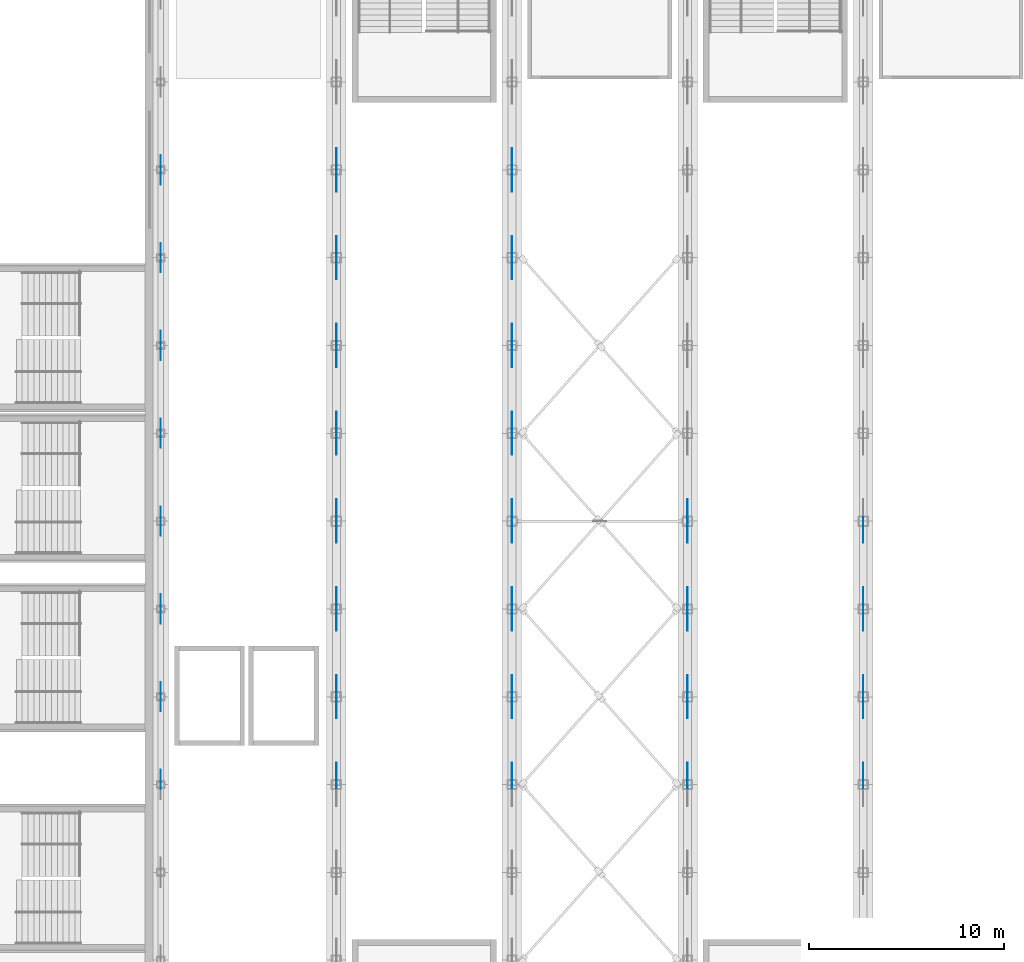
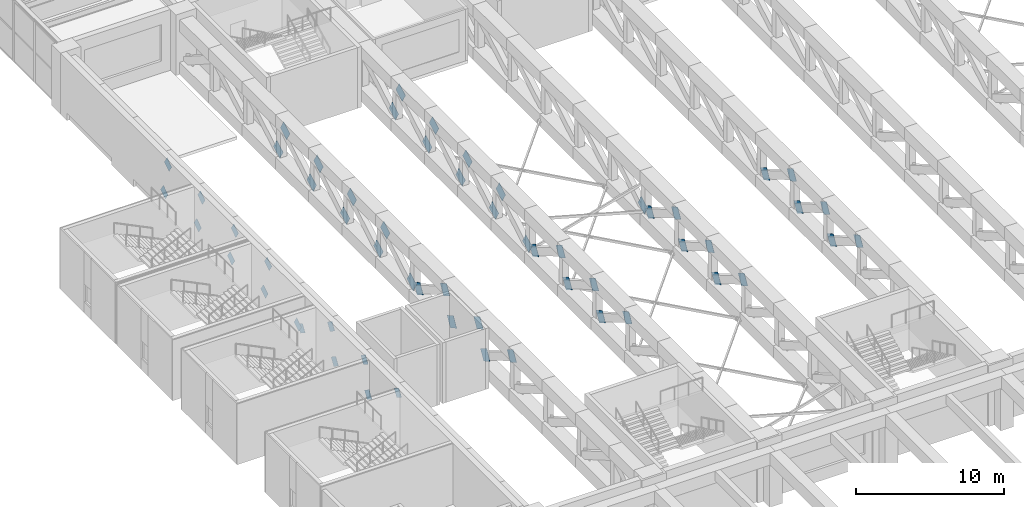
# One storey, part 54 of 76: 58 discrete accessories.
"""IFC4 building model written with IfcOpenShell, lengths in metres."""

from ifc_helpers import new_model, si_unit, direction, frame, origin, place, context, subcontext, project, spatial, polyline, outline, extrude, material, layer, layer_set, type_object, element, save


model = new_model("IFC4")

# Units and contexts
model_context = context("Model", 3, precision=1e-05, world=origin(), true_north=direction((0.0, 1.0)))
body_context = subcontext(model_context, "Body", "Model", "MODEL_VIEW")
ifc_project = project(units=[si_unit("LENGTHUNIT", "METRE"), si_unit("AREAUNIT", "SQUARE_METRE"), si_unit("VOLUMEUNIT", "CUBIC_METRE"), si_unit("PLANEANGLEUNIT", "RADIAN"), si_unit("MASSUNIT", "GRAM", prefix="KILO")], contexts=[model_context])

# Site, building, storey
site_placement = place(None, origin())
site = spatial("IfcSite", under=ifc_project, at=site_placement, CompositionType="ELEMENT")
building_placement = place(site_placement, origin())
building = spatial("IfcBuilding", under=site, at=building_placement, Name="Aravalli Gate Trade Fair Centre", CompositionType="ELEMENT")
storey_placement = place(building_placement, frame((0.0, 0.0, 10.0)))
storey = spatial("IfcBuildingStorey", under=building, at=storey_placement, Name="L02", CompositionType="ELEMENT", Elevation=10.0)

# Discrete accessories
ifc_material = material(Name="Steel E350", Category="steel")
ifc_layer_1 = layer(ifc_material, 0.01611328125)
ifc_layer_set_1 = layer_set([ifc_layer_1], Name="Steel E350")
discrete_accessory_type_1 = type_object("IfcDiscreteAccessoryType", Name="Gusset plate 675 x 675 x 16", PredefinedType="USERDEFINED", material=ifc_layer_set_1)
discrete_accessory_1_placement = place(storey_placement, frame((5.991943359375, 64.384521484375, 3.05078125), z_axis=(-1.0, 0.0, 0.0), x_axis=(0.0, -0.840557944742, 0.541721645803)))
element("IfcDiscreteAccessory", 1, at=discrete_accessory_1_placement, inside=storey, type_object=discrete_accessory_type_1, Name="Gusset plate FT2 line 1 diagonal 5 end A", ObjectType="GUSSET PLATE", PredefinedType="USERDEFINED", context=body_context, shape_type="SweptSolid", body=[
    extrude(outline(polyline([(0.0, 0.0), (0.7548813122812147, -5.551115123125783e-17), (0.755038993328129, 0.6749057537468108), (-0.0001797895562460905, 0.6748327956660154), (0.0, 0.0)])), origin(), (0.0, 0.0, -1.0), 0.01611328125),
])
discrete_accessory_2_placement = place(storey_placement, frame((6.008056640625, 67.749755859375, 0.882080078125), z_axis=(1.0, 0.0, 0.0), x_axis=(0.0, 0.840505607678, -0.541802845565)))
element("IfcDiscreteAccessory", 2, at=discrete_accessory_2_placement, inside=storey, type_object=discrete_accessory_type_1, Name="Gusset plate FT2 line 1 diagonal 5 end B", ObjectType="GUSSET PLATE", PredefinedType="USERDEFINED", context=body_context, shape_type="SweptSolid", body=[
    extrude(outline(polyline([(0.0, 0.0), (0.755218786408441, 0.0), (0.7549959059400588, 0.6749057353646954), (0.00011459718133527419, 0.674832809885664), (0.0, 0.0)])), origin(), (0.0, 0.0, -1.0), 0.01611328125),
])
discrete_accessory_3_placement = place(storey_placement, frame((5.991943359375, 68.884521484375, 3.05078125), z_axis=(-1.0, 0.0, 0.0), x_axis=(0.0, -0.840557944742, 0.541721645803)))
element("IfcDiscreteAccessory", 3, at=discrete_accessory_3_placement, inside=storey, type_object=discrete_accessory_type_1, Name="Gusset plate FT2 line 1 diagonal 6 end A", ObjectType="GUSSET PLATE", PredefinedType="USERDEFINED", context=body_context, shape_type="SweptSolid", body=[
    extrude(outline(polyline([(0.0, 0.0), (0.7548813122812147, -5.551115123125783e-17), (0.755038993328129, 0.6749057537468108), (-0.0001797895562460905, 0.6748327956660154), (0.0, 0.0)])), origin(), (0.0, 0.0, -1.0), 0.01611328125),
])
discrete_accessory_4_placement = place(storey_placement, frame((6.008056640625, 72.249755859375, 0.882080078125), z_axis=(1.0, 0.0, 0.0), x_axis=(0.0, 0.840505607678, -0.541802845565)))
element("IfcDiscreteAccessory", 4, at=discrete_accessory_4_placement, inside=storey, type_object=discrete_accessory_type_1, Name="Gusset plate FT2 line 1 diagonal 6 end B", ObjectType="GUSSET PLATE", PredefinedType="USERDEFINED", context=body_context, shape_type="SweptSolid", body=[
    extrude(outline(polyline([(0.0, 0.0), (0.755218786408441, 0.0), (0.7549959059400588, 0.6749057353646954), (0.00011459718133527419, 0.674832809885664), (0.0, 0.0)])), origin(), (0.0, 0.0, -1.0), 0.01611328125),
])
discrete_accessory_5_placement = place(storey_placement, frame((5.991943359375, 73.384521484375, 3.05078125), z_axis=(-1.0, 0.0, 0.0), x_axis=(0.0, -0.840557944742, 0.541721645803)))
element("IfcDiscreteAccessory", 5, at=discrete_accessory_5_placement, inside=storey, type_object=discrete_accessory_type_1, Name="Gusset plate FT2 line 1 diagonal 7 end A", ObjectType="GUSSET PLATE", PredefinedType="USERDEFINED", context=body_context, shape_type="SweptSolid", body=[
    extrude(outline(polyline([(0.0, 0.0), (0.7548813122812147, -5.551115123125783e-17), (0.755038993328129, 0.6749057537468108), (-0.0001797895562460905, 0.6748327956660154), (0.0, 0.0)])), origin(), (0.0, 0.0, -1.0), 0.01611328125),
])
for number, where, z_axis, x_axis, name in (
    (6, (6.008056640625, 76.749755859375, 0.882080078125), (1.0, 0.0, 0.0), (0.0, 0.840505607678, -0.541802845565), "Gusset plate FT2 line 1 diagonal 7 end B"),
    (7, (5.991943359375, 81.249755859375, 3.617919921875), (-1.0, 0.0, 0.0), (0.0, 0.840505607678, 0.541802845565), "Gusset plate FT2 line 1 diagonal 8 end A"),
):
    element("IfcDiscreteAccessory", number, at=place(storey_placement, frame(where, z_axis=z_axis, x_axis=x_axis)), inside=storey, type_object=discrete_accessory_type_1, Name=name, ObjectType="GUSSET PLATE", PredefinedType="USERDEFINED", context=body_context, shape_type="SweptSolid", body=[
        extrude(outline(polyline([(0.0, 0.0), (0.755218786408441, 0.0), (0.7549959059400588, 0.6749057353646954), (0.00011459718133527419, 0.674832809885664), (0.0, 0.0)])), origin(), (0.0, 0.0, -1.0), 0.01611328125),
    ])
discrete_accessory_6_placement = place(storey_placement, frame((6.008056640625, 77.884521484375, 1.44921875), z_axis=(1.0, 0.0, 0.0), x_axis=(0.0, -0.840557944742, -0.541721645803)))
element("IfcDiscreteAccessory", 8, at=discrete_accessory_6_placement, inside=storey, type_object=discrete_accessory_type_1, Name="Gusset plate FT2 line 1 diagonal 8 end B", ObjectType="GUSSET PLATE", PredefinedType="USERDEFINED", context=body_context, shape_type="SweptSolid", body=[
    extrude(outline(polyline([(0.0, 0.0), (0.7548813122812147, -5.551115123125783e-17), (0.755038993328129, 0.6749057537468108), (-0.0001797895562460905, 0.6748327956660154), (0.0, 0.0)])), origin(), (0.0, 0.0, -1.0), 0.01611328125),
])
discrete_accessory_7_placement = place(storey_placement, frame((5.991943359375, 85.749755859375, 3.617919921875), z_axis=(-1.0, 0.0, 0.0), x_axis=(0.0, 0.840505607678, 0.541802845565)))
element("IfcDiscreteAccessory", 9, at=discrete_accessory_7_placement, inside=storey, type_object=discrete_accessory_type_1, Name="Gusset plate FT2 line 1 diagonal 9 end A", ObjectType="GUSSET PLATE", PredefinedType="USERDEFINED", context=body_context, shape_type="SweptSolid", body=[
    extrude(outline(polyline([(0.0, 0.0), (0.755218786408441, 0.0), (0.7549959059400588, 0.6749057353646954), (0.00011459718133527419, 0.674832809885664), (0.0, 0.0)])), origin(), (0.0, 0.0, -1.0), 0.01611328125),
])
discrete_accessory_8_placement = place(storey_placement, frame((6.008056640625, 82.384521484375, 1.44921875), z_axis=(1.0, 0.0, 0.0), x_axis=(0.0, -0.840557944742, -0.541721645803)))
element("IfcDiscreteAccessory", 10, at=discrete_accessory_8_placement, inside=storey, type_object=discrete_accessory_type_1, Name="Gusset plate FT2 line 1 diagonal 9 end B", ObjectType="GUSSET PLATE", PredefinedType="USERDEFINED", context=body_context, shape_type="SweptSolid", body=[
    extrude(outline(polyline([(0.0, 0.0), (0.7548813122812147, -5.551115123125783e-17), (0.755038993328129, 0.6749057537468108), (-0.0001797895562460905, 0.6748327956660154), (0.0, 0.0)])), origin(), (0.0, 0.0, -1.0), 0.01611328125),
])
discrete_accessory_9_placement = place(storey_placement, frame((5.991943359375, 90.249755859375, 3.617919921875), z_axis=(-1.0, 0.0, 0.0), x_axis=(0.0, 0.840505607678, 0.541802845565)))
element("IfcDiscreteAccessory", 11, at=discrete_accessory_9_placement, inside=storey, type_object=discrete_accessory_type_1, Name="Gusset plate FT2 line 1 diagonal 10 end A", ObjectType="GUSSET PLATE", PredefinedType="USERDEFINED", context=body_context, shape_type="SweptSolid", body=[
    extrude(outline(polyline([(0.0, 0.0), (0.755218786408441, 0.0), (0.7549959059400588, 0.6749057353646954), (0.00011459718133527419, 0.674832809885664), (0.0, 0.0)])), origin(), (0.0, 0.0, -1.0), 0.01611328125),
])
discrete_accessory_10_placement = place(storey_placement, frame((6.008056640625, 86.884521484375, 1.44921875), z_axis=(1.0, 0.0, 0.0), x_axis=(0.0, -0.840557944742, -0.541721645803)))
element("IfcDiscreteAccessory", 12, at=discrete_accessory_10_placement, inside=storey, type_object=discrete_accessory_type_1, Name="Gusset plate FT2 line 1 diagonal 10 end B", ObjectType="GUSSET PLATE", PredefinedType="USERDEFINED", context=body_context, shape_type="SweptSolid", body=[
    extrude(outline(polyline([(0.0, 0.0), (0.7548813122812147, -5.551115123125783e-17), (0.755038993328129, 0.6749057537468108), (-0.0001797895562460905, 0.6748327956660154), (0.0, 0.0)])), origin(), (0.0, 0.0, -1.0), 0.01611328125),
])
discrete_accessory_11_placement = place(storey_placement, frame((5.991943359375, 94.749755859375, 3.617919921875), z_axis=(-1.0, 0.0, 0.0), x_axis=(0.0, 0.840505607678, 0.541802845565)))
element("IfcDiscreteAccessory", 13, at=discrete_accessory_11_placement, inside=storey, type_object=discrete_accessory_type_1, Name="Gusset plate FT2 line 1 diagonal 11 end A", ObjectType="GUSSET PLATE", PredefinedType="USERDEFINED", context=body_context, shape_type="SweptSolid", body=[
    extrude(outline(polyline([(0.0, 0.0), (0.755218786408441, 0.0), (0.7549959059400588, 0.6749057353646954), (0.00011459718133527419, 0.674832809885664), (0.0, 0.0)])), origin(), (0.0, 0.0, -1.0), 0.01611328125),
])
for number, where, z_axis, x_axis, name in (
    (14, (6.008056640625, 91.384521484375, 1.44921875), (1.0, 0.0, 0.0), (0.0, -0.840557944742, -0.541721645803), "Gusset plate FT2 line 1 diagonal 11 end B"),
    (15, (6.008056640625, 95.884521484375, 1.44921875), (1.0, 0.0, 0.0), (0.0, -0.840557944742, -0.541721645803), "Gusset plate FT2 line 1 diagonal 12 end B"),
):
    element("IfcDiscreteAccessory", number, at=place(storey_placement, frame(where, z_axis=z_axis, x_axis=x_axis)), inside=storey, type_object=discrete_accessory_type_1, Name=name, ObjectType="GUSSET PLATE", PredefinedType="USERDEFINED", context=body_context, shape_type="SweptSolid", body=[
        extrude(outline(polyline([(0.0, 0.0), (0.7548813122812147, -5.551115123125783e-17), (0.755038993328129, 0.6749057537468108), (-0.0001797895562460905, 0.6748327956660154), (0.0, 0.0)])), origin(), (0.0, 0.0, -1.0), 0.01611328125),
    ])
ifc_layer_2 = layer(ifc_material, 0.02001953125)
ifc_layer_set_2 = layer_set([ifc_layer_2], Name="Steel E350")
discrete_accessory_type_2 = type_object("IfcDiscreteAccessoryType", Name="Gusset plate 900 x 900 x 20", PredefinedType="USERDEFINED", material=ifc_layer_set_2)
discrete_accessory_12_placement = place(storey_placement, frame((14.989990234375, 64.656005859375, 2.657958984375), z_axis=(-1.0, 0.0, 0.0), x_axis=(0.0, -0.86388729855, 0.503685155037)))
element("IfcDiscreteAccessory", 16, at=discrete_accessory_12_placement, inside=storey, type_object=discrete_accessory_type_2, Name="Gusset plate FT1 line 2 diagonal 5 end A", ObjectType="GUSSET PLATE", PredefinedType="USERDEFINED", context=body_context, shape_type="SweptSolid", body=[
    extrude(outline(polyline([(0.0, 0.0), (0.9800811852673053, 0.0), (0.9800808203711375, 0.9001036081016202), (-3.6489616778156986e-07, 0.9001036081016202), (0.0, 0.0)])), origin(), (0.0, 0.0, -1.0), 0.02001953125),
])
discrete_accessory_13_placement = place(storey_placement, frame((15.010009765625, 67.390625, 1.064453125), z_axis=(1.0, 0.0, 0.0), x_axis=(0.0, 0.86388729855, -0.503685155037)))
element("IfcDiscreteAccessory", 17, at=discrete_accessory_13_placement, inside=storey, type_object=discrete_accessory_type_2, Name="Gusset plate FT1 line 2 diagonal 5 end B", ObjectType="GUSSET PLATE", PredefinedType="USERDEFINED", context=body_context, shape_type="SweptSolid", body=[
    extrude(outline(polyline([(0.0, 0.0), (0.9800811852673053, 0.0), (0.980081550163473, 0.9001036081016202), (3.6489616778156986e-07, 0.9001036081016202), (0.0, 0.0)])), origin(), (0.0, 0.0, -1.0), 0.02001953125),
])
discrete_accessory_14_placement = place(storey_placement, frame((14.989990234375, 69.156005859375, 2.657958984375), z_axis=(-1.0, 0.0, 0.0), x_axis=(0.0, -0.86388729855, 0.503685155037)))
element("IfcDiscreteAccessory", 18, at=discrete_accessory_14_placement, inside=storey, type_object=discrete_accessory_type_2, Name="Gusset plate FT1 line 2 diagonal 6 end A", ObjectType="GUSSET PLATE", PredefinedType="USERDEFINED", context=body_context, shape_type="SweptSolid", body=[
    extrude(outline(polyline([(0.0, 0.0), (0.9800811852673053, 0.0), (0.9800808203711375, 0.9001036081016202), (-3.6489616778156986e-07, 0.9001036081016202), (0.0, 0.0)])), origin(), (0.0, 0.0, -1.0), 0.02001953125),
])
discrete_accessory_15_placement = place(storey_placement, frame((15.010009765625, 71.890625, 1.064453125), z_axis=(1.0, 0.0, 0.0), x_axis=(0.0, 0.86388729855, -0.503685155037)))
element("IfcDiscreteAccessory", 19, at=discrete_accessory_15_placement, inside=storey, type_object=discrete_accessory_type_2, Name="Gusset plate FT1 line 2 diagonal 6 end B", ObjectType="GUSSET PLATE", PredefinedType="USERDEFINED", context=body_context, shape_type="SweptSolid", body=[
    extrude(outline(polyline([(0.0, 0.0), (0.9800811852673053, 0.0), (0.980081550163473, 0.9001036081016202), (3.6489616778156986e-07, 0.9001036081016202), (0.0, 0.0)])), origin(), (0.0, 0.0, -1.0), 0.02001953125),
])
discrete_accessory_16_placement = place(storey_placement, frame((14.989990234375, 73.656005859375, 2.657958984375), z_axis=(-1.0, 0.0, 0.0), x_axis=(0.0, -0.86388729855, 0.503685155037)))
element("IfcDiscreteAccessory", 20, at=discrete_accessory_16_placement, inside=storey, type_object=discrete_accessory_type_2, Name="Gusset plate FT1 line 2 diagonal 7 end A", ObjectType="GUSSET PLATE", PredefinedType="USERDEFINED", context=body_context, shape_type="SweptSolid", body=[
    extrude(outline(polyline([(0.0, 0.0), (0.9800811852673053, 0.0), (0.9800808203711375, 0.9001036081016202), (-3.6489616778156986e-07, 0.9001036081016202), (0.0, 0.0)])), origin(), (0.0, 0.0, -1.0), 0.02001953125),
])
for number, where, z_axis, x_axis, name in (
    (21, (15.010009765625, 76.390625, 1.064453125), (1.0, 0.0, 0.0), (0.0, 0.86388729855, -0.503685155037), "Gusset plate FT1 line 2 diagonal 7 end B"),
    (22, (14.989990234375, 80.890625, 3.435546875), (-1.0, 0.0, 0.0), (0.0, 0.86388729855, 0.503685155037), "Gusset plate FT1 line 2 diagonal 8 end A"),
):
    element("IfcDiscreteAccessory", number, at=place(storey_placement, frame(where, z_axis=z_axis, x_axis=x_axis)), inside=storey, type_object=discrete_accessory_type_2, Name=name, ObjectType="GUSSET PLATE", PredefinedType="USERDEFINED", context=body_context, shape_type="SweptSolid", body=[
        extrude(outline(polyline([(0.0, 0.0), (0.9800811852673053, 0.0), (0.980081550163473, 0.9001036081016202), (3.6489616778156986e-07, 0.9001036081016202), (0.0, 0.0)])), origin(), (0.0, 0.0, -1.0), 0.02001953125),
    ])
discrete_accessory_17_placement = place(storey_placement, frame((15.010009765625, 78.156005859375, 1.842041015625), z_axis=(1.0, 0.0, 0.0), x_axis=(0.0, -0.86388729855, -0.503685155037)))
element("IfcDiscreteAccessory", 23, at=discrete_accessory_17_placement, inside=storey, type_object=discrete_accessory_type_2, Name="Gusset plate FT1 line 2 diagonal 8 end B", ObjectType="GUSSET PLATE", PredefinedType="USERDEFINED", context=body_context, shape_type="SweptSolid", body=[
    extrude(outline(polyline([(0.0, 0.0), (0.9800811852673053, 0.0), (0.9800808203711375, 0.9001036081016202), (-3.6489616778156986e-07, 0.9001036081016202), (0.0, 0.0)])), origin(), (0.0, 0.0, -1.0), 0.02001953125),
])
discrete_accessory_18_placement = place(storey_placement, frame((14.989990234375, 85.390625, 3.435546875), z_axis=(-1.0, 0.0, 0.0), x_axis=(0.0, 0.86388729855, 0.503685155037)))
element("IfcDiscreteAccessory", 24, at=discrete_accessory_18_placement, inside=storey, type_object=discrete_accessory_type_2, Name="Gusset plate FT1 line 2 diagonal 9 end A", ObjectType="GUSSET PLATE", PredefinedType="USERDEFINED", context=body_context, shape_type="SweptSolid", body=[
    extrude(outline(polyline([(0.0, 0.0), (0.9800811852673053, 0.0), (0.980081550163473, 0.9001036081016202), (3.6489616778156986e-07, 0.9001036081016202), (0.0, 0.0)])), origin(), (0.0, 0.0, -1.0), 0.02001953125),
])
discrete_accessory_19_placement = place(storey_placement, frame((15.010009765625, 82.656005859375, 1.842041015625), z_axis=(1.0, 0.0, 0.0), x_axis=(0.0, -0.86388729855, -0.503685155037)))
element("IfcDiscreteAccessory", 25, at=discrete_accessory_19_placement, inside=storey, type_object=discrete_accessory_type_2, Name="Gusset plate FT1 line 2 diagonal 9 end B", ObjectType="GUSSET PLATE", PredefinedType="USERDEFINED", context=body_context, shape_type="SweptSolid", body=[
    extrude(outline(polyline([(0.0, 0.0), (0.9800811852673053, 0.0), (0.9800808203711375, 0.9001036081016202), (-3.6489616778156986e-07, 0.9001036081016202), (0.0, 0.0)])), origin(), (0.0, 0.0, -1.0), 0.02001953125),
])
discrete_accessory_20_placement = place(storey_placement, frame((14.989990234375, 89.890625, 3.435546875), z_axis=(-1.0, 0.0, 0.0), x_axis=(0.0, 0.86388729855, 0.503685155037)))
element("IfcDiscreteAccessory", 26, at=discrete_accessory_20_placement, inside=storey, type_object=discrete_accessory_type_2, Name="Gusset plate FT1 line 2 diagonal 10 end A", ObjectType="GUSSET PLATE", PredefinedType="USERDEFINED", context=body_context, shape_type="SweptSolid", body=[
    extrude(outline(polyline([(0.0, 0.0), (0.9800811852673053, 0.0), (0.980081550163473, 0.9001036081016202), (3.6489616778156986e-07, 0.9001036081016202), (0.0, 0.0)])), origin(), (0.0, 0.0, -1.0), 0.02001953125),
])
discrete_accessory_21_placement = place(storey_placement, frame((15.010009765625, 87.156005859375, 1.842041015625), z_axis=(1.0, 0.0, 0.0), x_axis=(0.0, -0.86388729855, -0.503685155037)))
element("IfcDiscreteAccessory", 27, at=discrete_accessory_21_placement, inside=storey, type_object=discrete_accessory_type_2, Name="Gusset plate FT1 line 2 diagonal 10 end B", ObjectType="GUSSET PLATE", PredefinedType="USERDEFINED", context=body_context, shape_type="SweptSolid", body=[
    extrude(outline(polyline([(0.0, 0.0), (0.9800811852673053, 0.0), (0.9800808203711375, 0.9001036081016202), (-3.6489616778156986e-07, 0.9001036081016202), (0.0, 0.0)])), origin(), (0.0, 0.0, -1.0), 0.02001953125),
])
discrete_accessory_22_placement = place(storey_placement, frame((14.989990234375, 94.390625, 3.435546875), z_axis=(-1.0, 0.0, 0.0), x_axis=(0.0, 0.86388729855, 0.503685155037)))
element("IfcDiscreteAccessory", 28, at=discrete_accessory_22_placement, inside=storey, type_object=discrete_accessory_type_2, Name="Gusset plate FT1 line 2 diagonal 11 end A", ObjectType="GUSSET PLATE", PredefinedType="USERDEFINED", context=body_context, shape_type="SweptSolid", body=[
    extrude(outline(polyline([(0.0, 0.0), (0.9800811852673053, 0.0), (0.980081550163473, 0.9001036081016202), (3.6489616778156986e-07, 0.9001036081016202), (0.0, 0.0)])), origin(), (0.0, 0.0, -1.0), 0.02001953125),
])
for number, where, z_axis, x_axis, name in (
    (29, (15.010009765625, 91.656005859375, 1.842041015625), (1.0, 0.0, 0.0), (0.0, -0.86388729855, -0.503685155037), "Gusset plate FT1 line 2 diagonal 11 end B"),
    (30, (15.010009765625, 96.156005859375, 1.842041015625), (1.0, 0.0, 0.0), (0.0, -0.86388729855, -0.503685155037), "Gusset plate FT1 line 2 diagonal 12 end B"),
    (31, (23.989990234375, 64.656005859375, 2.657958984375), (-1.0, 0.0, 0.0), (0.0, -0.86388729855, 0.503685155037), "Gusset plate FT1 line 3 diagonal 5 end A"),
):
    element("IfcDiscreteAccessory", number, at=place(storey_placement, frame(where, z_axis=z_axis, x_axis=x_axis)), inside=storey, type_object=discrete_accessory_type_2, Name=name, ObjectType="GUSSET PLATE", PredefinedType="USERDEFINED", context=body_context, shape_type="SweptSolid", body=[
        extrude(outline(polyline([(0.0, 0.0), (0.9800811852673053, 0.0), (0.9800808203711375, 0.9001036081016202), (-3.6489616778156986e-07, 0.9001036081016202), (0.0, 0.0)])), origin(), (0.0, 0.0, -1.0), 0.02001953125),
    ])
discrete_accessory_23_placement = place(storey_placement, frame((24.010009765625, 67.390625, 1.064453125), z_axis=(1.0, 0.0, 0.0), x_axis=(0.0, 0.86388729855, -0.503685155037)))
element("IfcDiscreteAccessory", 32, at=discrete_accessory_23_placement, inside=storey, type_object=discrete_accessory_type_2, Name="Gusset plate FT1 line 3 diagonal 5 end B", ObjectType="GUSSET PLATE", PredefinedType="USERDEFINED", context=body_context, shape_type="SweptSolid", body=[
    extrude(outline(polyline([(0.0, 0.0), (0.9800811852673053, 0.0), (0.980081550163473, 0.9001036081016202), (3.6489616778156986e-07, 0.9001036081016202), (0.0, 0.0)])), origin(), (0.0, 0.0, -1.0), 0.02001953125),
])
discrete_accessory_24_placement = place(storey_placement, frame((23.989990234375, 69.156005859375, 2.657958984375), z_axis=(-1.0, 0.0, 0.0), x_axis=(0.0, -0.86388729855, 0.503685155037)))
element("IfcDiscreteAccessory", 33, at=discrete_accessory_24_placement, inside=storey, type_object=discrete_accessory_type_2, Name="Gusset plate FT1 line 3 diagonal 6 end A", ObjectType="GUSSET PLATE", PredefinedType="USERDEFINED", context=body_context, shape_type="SweptSolid", body=[
    extrude(outline(polyline([(0.0, 0.0), (0.9800811852673053, 0.0), (0.9800808203711375, 0.9001036081016202), (-3.6489616778156986e-07, 0.9001036081016202), (0.0, 0.0)])), origin(), (0.0, 0.0, -1.0), 0.02001953125),
])
discrete_accessory_25_placement = place(storey_placement, frame((24.010009765625, 71.890625, 1.064453125), z_axis=(1.0, 0.0, 0.0), x_axis=(0.0, 0.86388729855, -0.503685155037)))
element("IfcDiscreteAccessory", 34, at=discrete_accessory_25_placement, inside=storey, type_object=discrete_accessory_type_2, Name="Gusset plate FT1 line 3 diagonal 6 end B", ObjectType="GUSSET PLATE", PredefinedType="USERDEFINED", context=body_context, shape_type="SweptSolid", body=[
    extrude(outline(polyline([(0.0, 0.0), (0.9800811852673053, 0.0), (0.980081550163473, 0.9001036081016202), (3.6489616778156986e-07, 0.9001036081016202), (0.0, 0.0)])), origin(), (0.0, 0.0, -1.0), 0.02001953125),
])
discrete_accessory_26_placement = place(storey_placement, frame((23.989990234375, 73.656005859375, 2.657958984375), z_axis=(-1.0, 0.0, 0.0), x_axis=(0.0, -0.86388729855, 0.503685155037)))
element("IfcDiscreteAccessory", 35, at=discrete_accessory_26_placement, inside=storey, type_object=discrete_accessory_type_2, Name="Gusset plate FT1 line 3 diagonal 7 end A", ObjectType="GUSSET PLATE", PredefinedType="USERDEFINED", context=body_context, shape_type="SweptSolid", body=[
    extrude(outline(polyline([(0.0, 0.0), (0.9800811852673053, 0.0), (0.9800808203711375, 0.9001036081016202), (-3.6489616778156986e-07, 0.9001036081016202), (0.0, 0.0)])), origin(), (0.0, 0.0, -1.0), 0.02001953125),
])
for number, where, z_axis, x_axis, name in (
    (36, (24.010009765625, 76.390625, 1.064453125), (1.0, 0.0, 0.0), (0.0, 0.86388729855, -0.503685155037), "Gusset plate FT1 line 3 diagonal 7 end B"),
    (37, (23.989990234375, 80.890625, 3.435546875), (-1.0, 0.0, 0.0), (0.0, 0.86388729855, 0.503685155037), "Gusset plate FT1 line 3 diagonal 8 end A"),
):
    element("IfcDiscreteAccessory", number, at=place(storey_placement, frame(where, z_axis=z_axis, x_axis=x_axis)), inside=storey, type_object=discrete_accessory_type_2, Name=name, ObjectType="GUSSET PLATE", PredefinedType="USERDEFINED", context=body_context, shape_type="SweptSolid", body=[
        extrude(outline(polyline([(0.0, 0.0), (0.9800811852673053, 0.0), (0.980081550163473, 0.9001036081016202), (3.6489616778156986e-07, 0.9001036081016202), (0.0, 0.0)])), origin(), (0.0, 0.0, -1.0), 0.02001953125),
    ])
discrete_accessory_27_placement = place(storey_placement, frame((24.010009765625, 78.156005859375, 1.842041015625), z_axis=(1.0, 0.0, 0.0), x_axis=(0.0, -0.86388729855, -0.503685155037)))
element("IfcDiscreteAccessory", 38, at=discrete_accessory_27_placement, inside=storey, type_object=discrete_accessory_type_2, Name="Gusset plate FT1 line 3 diagonal 8 end B", ObjectType="GUSSET PLATE", PredefinedType="USERDEFINED", context=body_context, shape_type="SweptSolid", body=[
    extrude(outline(polyline([(0.0, 0.0), (0.9800811852673053, 0.0), (0.9800808203711375, 0.9001036081016202), (-3.6489616778156986e-07, 0.9001036081016202), (0.0, 0.0)])), origin(), (0.0, 0.0, -1.0), 0.02001953125),
])
discrete_accessory_28_placement = place(storey_placement, frame((23.989990234375, 85.390625, 3.435546875), z_axis=(-1.0, 0.0, 0.0), x_axis=(0.0, 0.86388729855, 0.503685155037)))
element("IfcDiscreteAccessory", 39, at=discrete_accessory_28_placement, inside=storey, type_object=discrete_accessory_type_2, Name="Gusset plate FT1 line 3 diagonal 9 end A", ObjectType="GUSSET PLATE", PredefinedType="USERDEFINED", context=body_context, shape_type="SweptSolid", body=[
    extrude(outline(polyline([(0.0, 0.0), (0.9800811852673053, 0.0), (0.980081550163473, 0.9001036081016202), (3.6489616778156986e-07, 0.9001036081016202), (0.0, 0.0)])), origin(), (0.0, 0.0, -1.0), 0.02001953125),
])
discrete_accessory_29_placement = place(storey_placement, frame((24.010009765625, 82.656005859375, 1.842041015625), z_axis=(1.0, 0.0, 0.0), x_axis=(0.0, -0.86388729855, -0.503685155037)))
element("IfcDiscreteAccessory", 40, at=discrete_accessory_29_placement, inside=storey, type_object=discrete_accessory_type_2, Name="Gusset plate FT1 line 3 diagonal 9 end B", ObjectType="GUSSET PLATE", PredefinedType="USERDEFINED", context=body_context, shape_type="SweptSolid", body=[
    extrude(outline(polyline([(0.0, 0.0), (0.9800811852673053, 0.0), (0.9800808203711375, 0.9001036081016202), (-3.6489616778156986e-07, 0.9001036081016202), (0.0, 0.0)])), origin(), (0.0, 0.0, -1.0), 0.02001953125),
])
discrete_accessory_30_placement = place(storey_placement, frame((23.989990234375, 89.890625, 3.435546875), z_axis=(-1.0, 0.0, 0.0), x_axis=(0.0, 0.86388729855, 0.503685155037)))
element("IfcDiscreteAccessory", 41, at=discrete_accessory_30_placement, inside=storey, type_object=discrete_accessory_type_2, Name="Gusset plate FT1 line 3 diagonal 10 end A", ObjectType="GUSSET PLATE", PredefinedType="USERDEFINED", context=body_context, shape_type="SweptSolid", body=[
    extrude(outline(polyline([(0.0, 0.0), (0.9800811852673053, 0.0), (0.980081550163473, 0.9001036081016202), (3.6489616778156986e-07, 0.9001036081016202), (0.0, 0.0)])), origin(), (0.0, 0.0, -1.0), 0.02001953125),
])
discrete_accessory_31_placement = place(storey_placement, frame((24.010009765625, 87.156005859375, 1.842041015625), z_axis=(1.0, 0.0, 0.0), x_axis=(0.0, -0.86388729855, -0.503685155037)))
element("IfcDiscreteAccessory", 42, at=discrete_accessory_31_placement, inside=storey, type_object=discrete_accessory_type_2, Name="Gusset plate FT1 line 3 diagonal 10 end B", ObjectType="GUSSET PLATE", PredefinedType="USERDEFINED", context=body_context, shape_type="SweptSolid", body=[
    extrude(outline(polyline([(0.0, 0.0), (0.9800811852673053, 0.0), (0.9800808203711375, 0.9001036081016202), (-3.6489616778156986e-07, 0.9001036081016202), (0.0, 0.0)])), origin(), (0.0, 0.0, -1.0), 0.02001953125),
])
discrete_accessory_32_placement = place(storey_placement, frame((23.989990234375, 94.390625, 3.435546875), z_axis=(-1.0, 0.0, 0.0), x_axis=(0.0, 0.86388729855, 0.503685155037)))
element("IfcDiscreteAccessory", 43, at=discrete_accessory_32_placement, inside=storey, type_object=discrete_accessory_type_2, Name="Gusset plate FT1 line 3 diagonal 11 end A", ObjectType="GUSSET PLATE", PredefinedType="USERDEFINED", context=body_context, shape_type="SweptSolid", body=[
    extrude(outline(polyline([(0.0, 0.0), (0.9800811852673053, 0.0), (0.980081550163473, 0.9001036081016202), (3.6489616778156986e-07, 0.9001036081016202), (0.0, 0.0)])), origin(), (0.0, 0.0, -1.0), 0.02001953125),
])
for number, where, z_axis, x_axis, name in (
    (44, (24.010009765625, 91.656005859375, 1.842041015625), (1.0, 0.0, 0.0), (0.0, -0.86388729855, -0.503685155037), "Gusset plate FT1 line 3 diagonal 11 end B"),
    (45, (24.010009765625, 96.156005859375, 1.842041015625), (1.0, 0.0, 0.0), (0.0, -0.86388729855, -0.503685155037), "Gusset plate FT1 line 3 diagonal 12 end B"),
    (46, (32.989990234375, 64.656005859375, 2.657958984375), (-1.0, 0.0, 0.0), (0.0, -0.86388729855, 0.503685155037), "Gusset plate FT1 line 4 diagonal 5 end A"),
):
    element("IfcDiscreteAccessory", number, at=place(storey_placement, frame(where, z_axis=z_axis, x_axis=x_axis)), inside=storey, type_object=discrete_accessory_type_2, Name=name, ObjectType="GUSSET PLATE", PredefinedType="USERDEFINED", context=body_context, shape_type="SweptSolid", body=[
        extrude(outline(polyline([(0.0, 0.0), (0.9800811852673053, 0.0), (0.9800808203711375, 0.9001036081016202), (-3.6489616778156986e-07, 0.9001036081016202), (0.0, 0.0)])), origin(), (0.0, 0.0, -1.0), 0.02001953125),
    ])
discrete_accessory_33_placement = place(storey_placement, frame((33.010009765625, 67.390625, 1.064453125), z_axis=(1.0, 0.0, 0.0), x_axis=(0.0, 0.86388729855, -0.503685155037)))
element("IfcDiscreteAccessory", 47, at=discrete_accessory_33_placement, inside=storey, type_object=discrete_accessory_type_2, Name="Gusset plate FT1 line 4 diagonal 5 end B", ObjectType="GUSSET PLATE", PredefinedType="USERDEFINED", context=body_context, shape_type="SweptSolid", body=[
    extrude(outline(polyline([(0.0, 0.0), (0.9800811852673053, 0.0), (0.980081550163473, 0.9001036081016202), (3.6489616778156986e-07, 0.9001036081016202), (0.0, 0.0)])), origin(), (0.0, 0.0, -1.0), 0.02001953125),
])
discrete_accessory_34_placement = place(storey_placement, frame((32.989990234375, 69.156005859375, 2.657958984375), z_axis=(-1.0, 0.0, 0.0), x_axis=(0.0, -0.86388729855, 0.503685155037)))
element("IfcDiscreteAccessory", 48, at=discrete_accessory_34_placement, inside=storey, type_object=discrete_accessory_type_2, Name="Gusset plate FT1 line 4 diagonal 6 end A", ObjectType="GUSSET PLATE", PredefinedType="USERDEFINED", context=body_context, shape_type="SweptSolid", body=[
    extrude(outline(polyline([(0.0, 0.0), (0.9800811852673053, 0.0), (0.9800808203711375, 0.9001036081016202), (-3.6489616778156986e-07, 0.9001036081016202), (0.0, 0.0)])), origin(), (0.0, 0.0, -1.0), 0.02001953125),
])
discrete_accessory_35_placement = place(storey_placement, frame((33.010009765625, 71.890625, 1.064453125), z_axis=(1.0, 0.0, 0.0), x_axis=(0.0, 0.86388729855, -0.503685155037)))
element("IfcDiscreteAccessory", 49, at=discrete_accessory_35_placement, inside=storey, type_object=discrete_accessory_type_2, Name="Gusset plate FT1 line 4 diagonal 6 end B", ObjectType="GUSSET PLATE", PredefinedType="USERDEFINED", context=body_context, shape_type="SweptSolid", body=[
    extrude(outline(polyline([(0.0, 0.0), (0.9800811852673053, 0.0), (0.980081550163473, 0.9001036081016202), (3.6489616778156986e-07, 0.9001036081016202), (0.0, 0.0)])), origin(), (0.0, 0.0, -1.0), 0.02001953125),
])
discrete_accessory_36_placement = place(storey_placement, frame((32.989990234375, 73.656005859375, 2.657958984375), z_axis=(-1.0, 0.0, 0.0), x_axis=(0.0, -0.86388729855, 0.503685155037)))
element("IfcDiscreteAccessory", 50, at=discrete_accessory_36_placement, inside=storey, type_object=discrete_accessory_type_2, Name="Gusset plate FT1 line 4 diagonal 7 end A", ObjectType="GUSSET PLATE", PredefinedType="USERDEFINED", context=body_context, shape_type="SweptSolid", body=[
    extrude(outline(polyline([(0.0, 0.0), (0.9800811852673053, 0.0), (0.9800808203711375, 0.9001036081016202), (-3.6489616778156986e-07, 0.9001036081016202), (0.0, 0.0)])), origin(), (0.0, 0.0, -1.0), 0.02001953125),
])
discrete_accessory_37_placement = place(storey_placement, frame((33.010009765625, 76.390625, 1.064453125), z_axis=(1.0, 0.0, 0.0), x_axis=(0.0, 0.86388729855, -0.503685155037)))
element("IfcDiscreteAccessory", 51, at=discrete_accessory_37_placement, inside=storey, type_object=discrete_accessory_type_2, Name="Gusset plate FT1 line 4 diagonal 7 end B", ObjectType="GUSSET PLATE", PredefinedType="USERDEFINED", context=body_context, shape_type="SweptSolid", body=[
    extrude(outline(polyline([(0.0, 0.0), (0.9800811852673053, 0.0), (0.980081550163473, 0.9001036081016202), (3.6489616778156986e-07, 0.9001036081016202), (0.0, 0.0)])), origin(), (0.0, 0.0, -1.0), 0.02001953125),
])
for number, where, z_axis, x_axis, name in (
    (52, (33.010009765625, 78.156005859375, 1.842041015625), (1.0, 0.0, 0.0), (0.0, -0.86388729855, -0.503685155037), "Gusset plate FT1 line 4 diagonal 8 end B"),
    (53, (41.989990234375, 64.656005859375, 2.657958984375), (-1.0, 0.0, 0.0), (0.0, -0.86388729855, 0.503685155037), "Gusset plate FT1 line 5 diagonal 5 end A"),
):
    element("IfcDiscreteAccessory", number, at=place(storey_placement, frame(where, z_axis=z_axis, x_axis=x_axis)), inside=storey, type_object=discrete_accessory_type_2, Name=name, ObjectType="GUSSET PLATE", PredefinedType="USERDEFINED", context=body_context, shape_type="SweptSolid", body=[
        extrude(outline(polyline([(0.0, 0.0), (0.9800811852673053, 0.0), (0.9800808203711375, 0.9001036081016202), (-3.6489616778156986e-07, 0.9001036081016202), (0.0, 0.0)])), origin(), (0.0, 0.0, -1.0), 0.02001953125),
    ])
discrete_accessory_38_placement = place(storey_placement, frame((42.010009765625, 67.390625, 1.064453125), z_axis=(1.0, 0.0, 0.0), x_axis=(0.0, 0.86388729855, -0.503685155037)))
element("IfcDiscreteAccessory", 54, at=discrete_accessory_38_placement, inside=storey, type_object=discrete_accessory_type_2, Name="Gusset plate FT1 line 5 diagonal 5 end B", ObjectType="GUSSET PLATE", PredefinedType="USERDEFINED", context=body_context, shape_type="SweptSolid", body=[
    extrude(outline(polyline([(0.0, 0.0), (0.9800811852673053, 0.0), (0.980081550163473, 0.9001036081016202), (3.6489616778156986e-07, 0.9001036081016202), (0.0, 0.0)])), origin(), (0.0, 0.0, -1.0), 0.02001953125),
])
discrete_accessory_39_placement = place(storey_placement, frame((41.989990234375, 69.156005859375, 2.657958984375), z_axis=(-1.0, 0.0, 0.0), x_axis=(0.0, -0.86388729855, 0.503685155037)))
element("IfcDiscreteAccessory", 55, at=discrete_accessory_39_placement, inside=storey, type_object=discrete_accessory_type_2, Name="Gusset plate FT1 line 5 diagonal 6 end A", ObjectType="GUSSET PLATE", PredefinedType="USERDEFINED", context=body_context, shape_type="SweptSolid", body=[
    extrude(outline(polyline([(0.0, 0.0), (0.9800811852673053, 0.0), (0.9800808203711375, 0.9001036081016202), (-3.6489616778156986e-07, 0.9001036081016202), (0.0, 0.0)])), origin(), (0.0, 0.0, -1.0), 0.02001953125),
])
discrete_accessory_40_placement = place(storey_placement, frame((42.010009765625, 71.890625, 1.064453125), z_axis=(1.0, 0.0, 0.0), x_axis=(0.0, 0.86388729855, -0.503685155037)))
element("IfcDiscreteAccessory", 56, at=discrete_accessory_40_placement, inside=storey, type_object=discrete_accessory_type_2, Name="Gusset plate FT1 line 5 diagonal 6 end B", ObjectType="GUSSET PLATE", PredefinedType="USERDEFINED", context=body_context, shape_type="SweptSolid", body=[
    extrude(outline(polyline([(0.0, 0.0), (0.9800811852673053, 0.0), (0.980081550163473, 0.9001036081016202), (3.6489616778156986e-07, 0.9001036081016202), (0.0, 0.0)])), origin(), (0.0, 0.0, -1.0), 0.02001953125),
])
discrete_accessory_41_placement = place(storey_placement, frame((41.989990234375, 73.656005859375, 2.657958984375), z_axis=(-1.0, 0.0, 0.0), x_axis=(0.0, -0.86388729855, 0.503685155037)))
element("IfcDiscreteAccessory", 57, at=discrete_accessory_41_placement, inside=storey, type_object=discrete_accessory_type_2, Name="Gusset plate FT1 line 5 diagonal 7 end A", ObjectType="GUSSET PLATE", PredefinedType="USERDEFINED", context=body_context, shape_type="SweptSolid", body=[
    extrude(outline(polyline([(0.0, 0.0), (0.9800811852673053, 0.0), (0.9800808203711375, 0.9001036081016202), (-3.6489616778156986e-07, 0.9001036081016202), (0.0, 0.0)])), origin(), (0.0, 0.0, -1.0), 0.02001953125),
])
discrete_accessory_42_placement = place(storey_placement, frame((42.010009765625, 76.390625, 1.064453125), z_axis=(1.0, 0.0, 0.0), x_axis=(0.0, 0.86388729855, -0.503685155037)))
element("IfcDiscreteAccessory", 58, at=discrete_accessory_42_placement, inside=storey, type_object=discrete_accessory_type_2, Name="Gusset plate FT1 line 5 diagonal 7 end B", ObjectType="GUSSET PLATE", PredefinedType="USERDEFINED", context=body_context, shape_type="SweptSolid", body=[
    extrude(outline(polyline([(0.0, 0.0), (0.9800811852673053, 0.0), (0.980081550163473, 0.9001036081016202), (3.6489616778156986e-07, 0.9001036081016202), (0.0, 0.0)])), origin(), (0.0, 0.0, -1.0), 0.02001953125),
])

save(model, "model.ifc")
